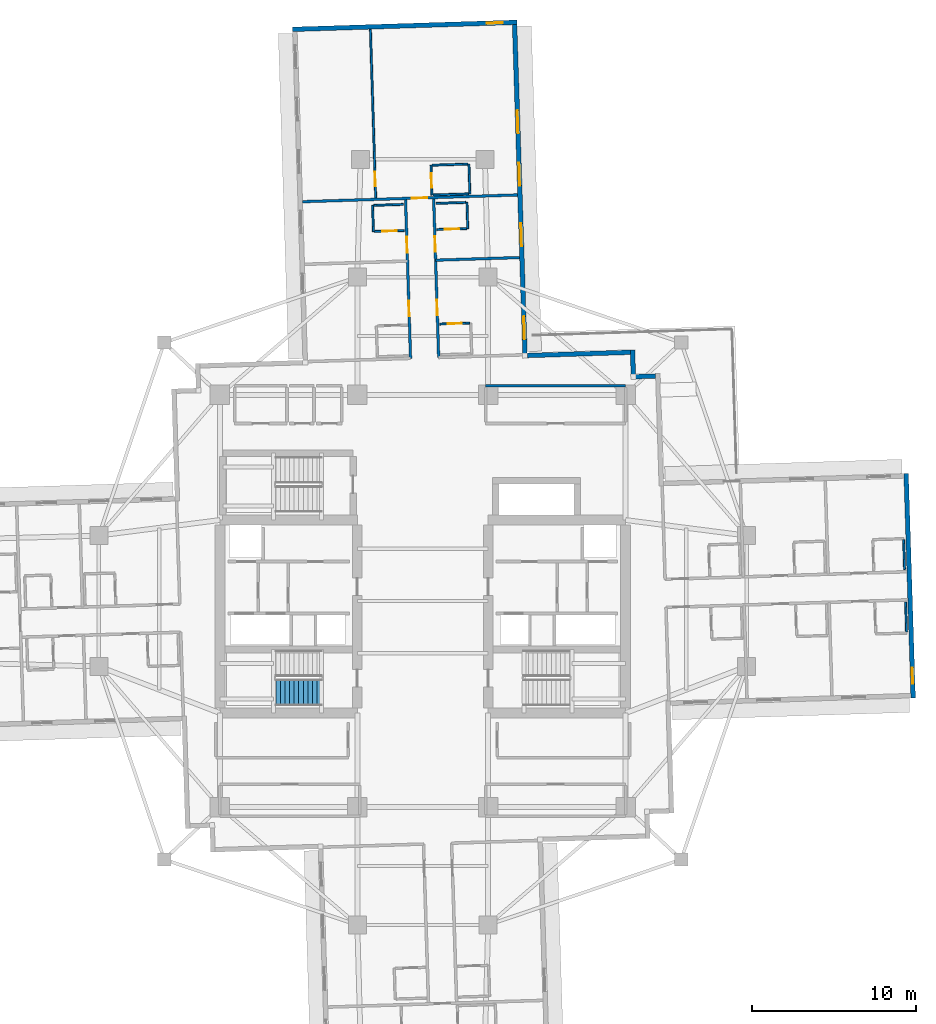
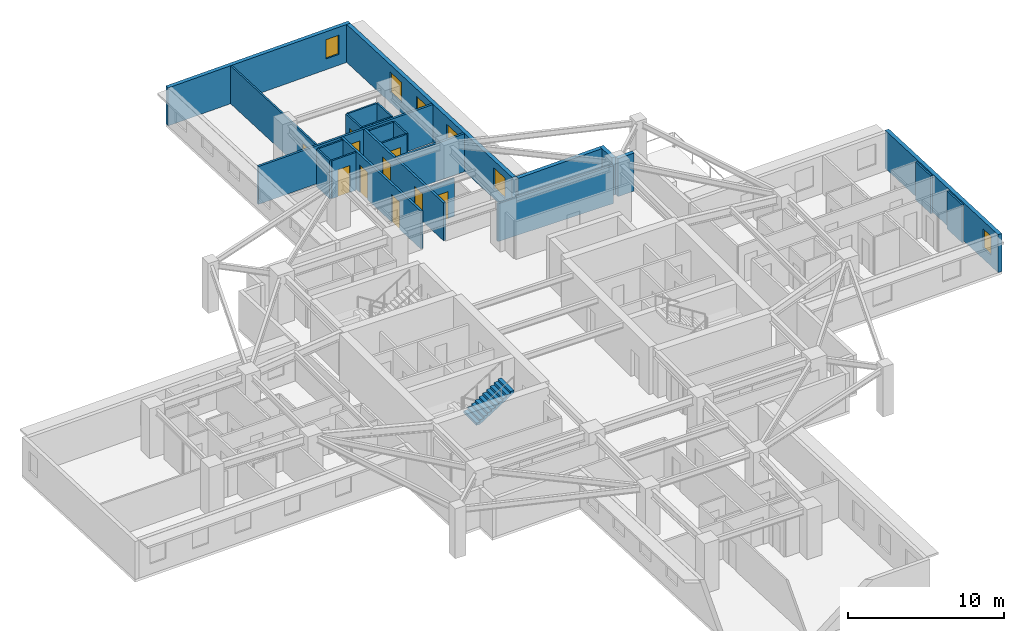
# One storey, part 8 of 14: 25 walls, 10 doors, 6 windows, 1 stair flight, 16 openings, 1 element without a shape of its own.
"""IFC4 building model written with IfcOpenShell, lengths in metres."""

from ifc_helpers import new_model, si_unit, direction, frame, frame_2d, origin, place, context, subcontext, project, spatial, polyline, rectangle, outline, extrude, material, layer, layer_set, type_object, element, fill, aggregate, save


model = new_model("IFC4")

# Units and contexts
model_context = context("Model", 3, precision=1e-05, world=origin(), true_north=direction((0.0, 1.0)))
body_context = subcontext(model_context, "Body", "Model", "MODEL_VIEW")
ifc_project = project(units=[si_unit("LENGTHUNIT", "METRE"), si_unit("AREAUNIT", "SQUARE_METRE"), si_unit("VOLUMEUNIT", "CUBIC_METRE"), si_unit("PLANEANGLEUNIT", "RADIAN"), si_unit("MASSUNIT", "GRAM", prefix="KILO")], contexts=[model_context])

# Site, building, storey
site_placement = place(None, origin())
site = spatial("IfcSite", under=ifc_project, at=site_placement, CompositionType="ELEMENT")
building_placement = place(site_placement, origin())
building = spatial("IfcBuilding", under=site, at=building_placement, Name="Qingluan Cross Belvedere", CompositionType="ELEMENT")
storey_placement = place(building_placement, frame((0.0, 0.0, 135.89990234375)))
storey = spatial("IfcBuildingStorey", under=building, at=storey_placement, Name="L34", CompositionType="ELEMENT", Elevation=135.89990234375)

# Wall
ifc_material_1 = material(Name="Gypsum plasterboard on steel stud acoustic partition", Category="steel")
ifc_layer_1 = layer(ifc_material_1, 0.159912109375, Name="CorridorPartition_160")
ifc_layer_set_1 = layer_set([ifc_layer_1], Name="Gypsum plasterboard on steel stud acoustic partition")
wall_type_1 = type_object("IfcWallType", Name="CorridorPartition_160", PredefinedType="PARTITIONING", material=ifc_layer_set_1)
wall_1_placement = place(storey_placement, frame((3.85009765625, 13.14990234375, 0.0), z_axis=(0.0, 0.0, 1.0), x_axis=(1.0, 0.0, 0.0)))
element("IfcWall", 1, at=wall_1_placement, inside=storey, type_object=wall_type_1, Name="Partition L34:q_ne:N", PredefinedType="PARTITIONING", context=body_context, shape_type="SweptSolid", body=[
    extrude(rectangle(XDim=8.5498046875, YDim=0.159912109375, at=frame_2d((4.27490234375, 0.0))), origin(), (0.0, 0.0, 1.0), 2.960205078125),
])

# Wall, openings, doors
wall_2_placement = place(storey_placement, frame((0.972900390625, 14.887939453125, 0.0), z_axis=(0.0, 0.0, 1.0), x_axis=(-0.031411552371, 0.999506535435, 0.0)))
wall_2 = element("IfcWall", 2, at=wall_2_placement, inside=storey, type_object=wall_type_1, Name="Partition L34:N:c0", PredefinedType="PARTITIONING", context=body_context, shape_type="SweptSolid", body=[
    extrude(rectangle(XDim=9.699951171875, YDim=0.159912109375, at=frame_2d((4.85009765625, 0.0))), origin(), (0.0, 0.0, 1.0), 2.960205078125),
])
opening_1_placement = place(wall_2_placement, frame((2.574951171875, 0.0, 0.0)))
opening_1 = element("IfcOpeningElement", 3, at=opening_1_placement, cuts=wall_2, Name="Opening GD-10", PredefinedType="OPENING", context=body_context, shape_type="SweptSolid", body=[
    extrude(rectangle(XDim=0.9599609375, YDim=2.14990234375, at=frame_2d((0.47998046875, 1.074951171875))), frame((0.0, 0.08984375, 0.0), z_axis=(0.0, -1.0, 0.0), x_axis=(1.0, 0.0, 0.0)), (0.0, 0.0, 1.0), 0.179931640625),
])
opening_2_placement = place(wall_2_placement, frame((6.467041015625, 0.0, 0.0)))
opening_2 = element("IfcOpeningElement", 4, at=opening_2_placement, cuts=wall_2, Name="Opening GD-10", PredefinedType="OPENING", context=body_context, shape_type="SweptSolid", body=[
    extrude(rectangle(XDim=0.9599609375, YDim=2.14990234375, at=frame_2d((0.47998046875, 1.074951171875))), frame((0.0, 0.08984375, 0.0), z_axis=(0.0, -1.0, 0.0), x_axis=(1.0, 0.0, 0.0)), (0.0, 0.0, 1.0), 0.179931640625),
])
ifc_material_2 = material(Name="Timber oak fire-rated acoustic guestroom door", Category="wood")
door_type_1 = type_object("IfcDoorType", Name="GuestEntryDoor_FD60", OperationType="NOTDEFINED", PredefinedType="DOOR", material=ifc_material_2)
door_1_placement = place(opening_1_placement, origin())
door_1 = element("IfcDoor", 5, at=door_1_placement, inside=storey, type_object=door_type_1, Name="Guest entry fire door 3411", OperationType="SINGLE_SWING_RIGHT", OverallHeight=2.14990234375, OverallWidth=0.9599609375, PredefinedType="DOOR", context=body_context, shape_type="SweptSolid", body=[
    extrude(rectangle(XDim=0.9599609375, YDim=2.14990234375, at=frame_2d((0.47998046875, 1.074951171875))), frame((0.0, 0.02490234375, 0.0), z_axis=(0.0, -1.0, 0.0), x_axis=(1.0, 0.0, 0.0)), (0.0, 0.0, 1.0), 0.050048828125),
])
fill(opening_1, door_1)
door_2_placement = place(opening_2_placement, origin())
door_2 = element("IfcDoor", 6, at=door_2_placement, inside=storey, type_object=door_type_1, Name="Guest entry fire door 3412", OperationType="SINGLE_SWING_RIGHT", OverallHeight=2.14990234375, OverallWidth=0.9599609375, PredefinedType="DOOR", context=body_context, shape_type="SweptSolid", body=[
    extrude(rectangle(XDim=0.9599609375, YDim=2.14990234375, at=frame_2d((0.47998046875, 1.074951171875))), frame((0.0, 0.02490234375, 0.0), z_axis=(0.0, -1.0, 0.0), x_axis=(1.0, 0.0, 0.0)), (0.0, 0.0, 1.0), 0.050048828125),
])
fill(opening_2, door_2)

# Wall
wall_3_placement = place(storey_placement, frame((0.785888671875, 20.8349609375, 0.0), z_axis=(0.0, 0.0, 1.0), x_axis=(0.999506957349, 0.031398124315, 0.0)))
element("IfcWall", 7, at=wall_3_placement, inside=storey, type_object=wall_type_1, Name="Partition L34:N:d0_0", PredefinedType="PARTITIONING", context=body_context, shape_type="SweptSolid", body=[
    extrude(rectangle(XDim=5.1318359375, YDim=0.159912109375, at=frame_2d((2.56591796875, 0.0))), origin(), (0.0, 0.0, 1.0), 2.960205078125),
])

# Wall, openings, doors
wall_4_placement = place(storey_placement, frame((-0.746337890625, 14.833984375, 0.0), z_axis=(0.0, 0.0, 1.0), x_axis=(-0.031411552371, 0.999506535435, 0.0)))
wall_4 = element("IfcWall", 8, at=wall_4_placement, inside=storey, type_object=wall_type_1, Name="Partition L34:N:c1", PredefinedType="PARTITIONING", context=body_context, shape_type="SweptSolid", body=[
    extrude(rectangle(XDim=9.699951171875, YDim=0.159912109375, at=frame_2d((4.85009765625, 0.0))), origin(), (0.0, 0.0, 1.0), 2.960205078125),
])
opening_3_placement = place(wall_4_placement, frame((2.574951171875, 0.0, 0.0)))
opening_3 = element("IfcOpeningElement", 9, at=opening_3_placement, cuts=wall_4, Name="Opening GD-10", PredefinedType="OPENING", context=body_context, shape_type="SweptSolid", body=[
    extrude(rectangle(XDim=0.9599609375, YDim=2.14990234375, at=frame_2d((0.47998046875, 1.074951171875))), frame((0.0, 0.08984375, 0.0), z_axis=(0.0, -1.0, 0.0), x_axis=(1.0, 0.0, 0.0)), (0.0, 0.0, 1.0), 0.179931640625),
])
opening_4_placement = place(wall_4_placement, frame((6.467041015625, 0.0, 0.0)))
opening_4 = element("IfcOpeningElement", 10, at=opening_4_placement, cuts=wall_4, Name="Opening GD-10", PredefinedType="OPENING", context=body_context, shape_type="SweptSolid", body=[
    extrude(rectangle(XDim=0.9599609375, YDim=2.14990234375, at=frame_2d((0.47998046875, 1.074951171875))), frame((0.0, 0.08984375, 0.0), z_axis=(0.0, -1.0, 0.0), x_axis=(1.0, 0.0, 0.0)), (0.0, 0.0, 1.0), 0.179931640625),
])
door_3_placement = place(opening_3_placement, origin())
door_3 = element("IfcDoor", 11, at=door_3_placement, inside=storey, type_object=door_type_1, Name="Guest entry fire door 3413", OperationType="SINGLE_SWING_RIGHT", OverallHeight=2.14990234375, OverallWidth=0.9599609375, PredefinedType="DOOR", context=body_context, shape_type="SweptSolid", body=[
    extrude(rectangle(XDim=0.9599609375, YDim=2.14990234375, at=frame_2d((0.47998046875, 1.074951171875))), frame((0.0, 0.02490234375, 0.0), z_axis=(0.0, -1.0, 0.0), x_axis=(1.0, 0.0, 0.0)), (0.0, 0.0, 1.0), 0.050048828125),
])
fill(opening_3, door_3)
door_4_placement = place(opening_4_placement, origin())
door_4 = element("IfcDoor", 12, at=door_4_placement, inside=storey, type_object=door_type_1, Name="Guest entry fire door 3414", OperationType="SINGLE_SWING_RIGHT", OverallHeight=2.14990234375, OverallWidth=0.9599609375, PredefinedType="DOOR", context=body_context, shape_type="SweptSolid", body=[
    extrude(rectangle(XDim=0.9599609375, YDim=2.14990234375, at=frame_2d((0.47998046875, 1.074951171875))), frame((0.0, 0.02490234375, 0.0), z_axis=(0.0, -1.0, 0.0), x_axis=(1.0, 0.0, 0.0)), (0.0, 0.0, 1.0), 0.050048828125),
])
fill(opening_4, door_4)

# Wall, opening, door
wall_5_placement = place(storey_placement, frame((-7.34228515625, 24.411376953125, 0.0), z_axis=(0.0, 0.0, 1.0), x_axis=(0.999506606318, 0.031409296822, 0.0)))
wall_5 = element("IfcWall", 13, at=wall_5_placement, inside=storey, type_object=wall_type_1, Name="Partition L34:Ncap:in", PredefinedType="PARTITIONING", context=body_context, shape_type="SweptSolid", body=[
    extrude(rectangle(XDim=13.14404296875, YDim=0.159912109375, at=frame_2d((6.572021484375, 0.0))), origin(), (0.0, 0.0, 1.0), 2.960205078125),
])
opening_5_placement = place(wall_5_placement, frame((6.672119140625, 0.0, 0.0)))
opening_5 = element("IfcOpeningElement", 14, at=opening_5_placement, cuts=wall_5, Name="Opening GD-10", PredefinedType="OPENING", context=body_context, shape_type="SweptSolid", body=[
    extrude(rectangle(XDim=0.9599609375, YDim=2.14990234375, at=frame_2d((0.47998046875, 1.074951171875))), frame((0.0, 0.08984375, 0.0), z_axis=(0.0, -1.0, 0.0), x_axis=(1.0, 0.0, 0.0)), (0.0, 0.0, 1.0), 0.179931640625),
])
door_5_placement = place(opening_5_placement, origin())
door_5 = element("IfcDoor", 15, at=door_5_placement, inside=storey, type_object=door_type_1, Name="Horizon corner suite door L34N", OperationType="SINGLE_SWING_LEFT", OverallHeight=2.14990234375, OverallWidth=0.9599609375, PredefinedType="DOOR", context=body_context, shape_type="SweptSolid", body=[
    extrude(rectangle(XDim=0.9599609375, YDim=2.14990234375, at=frame_2d((0.47998046875, 1.074951171875))), frame((0.0, 0.02490234375, 0.0), z_axis=(0.0, -1.0, 0.0), x_axis=(1.0, 0.0, 0.0)), (0.0, 0.0, 1.0), 0.050048828125),
])
fill(opening_5, door_5)

# Walls
ifc_material_3 = material(Name="Moisture-resistant gypsum board lining")
ifc_layer_2 = layer(ifc_material_3, 0.1201171875, Name="EnsuiteWetPartition_120")
ifc_layer_set_2 = layer_set([ifc_layer_2], Name="Moisture-resistant gypsum board lining")
wall_type_2 = type_object("IfcWallType", Name="EnsuiteWetPartition_120", PredefinedType="PARTITIONING", material=ifc_layer_set_2)
for number, where, z_axis, x_axis, name in (
    (16, (29.4541015625, 1.926025390625, 0.0), (0.0, 0.0, 1.0), (-0.031389704724, 0.999507221803, 0.0), "Partition L34:E:bw0_2"),
    (17, (29.573974609375, -1.89208984375, 0.0), (0.0, 0.0, 1.0), (-0.031389704724, 0.999507221803, 0.0), "Partition L34:E:bw1_2"),
):
    element("IfcWall", number, at=place(storey_placement, frame(where, z_axis=z_axis, x_axis=x_axis)), inside=storey, type_object=wall_type_2, Name=name, PredefinedType="PARTITIONING", context=body_context, shape_type="SweptSolid", body=[
        extrude(rectangle(XDim=1.820068359375, YDim=0.1201171875, at=frame_2d((0.91015625, 0.0))), origin(), (0.0, 0.0, 1.0), 2.960205078125),
    ])

# Wall, opening, door
wall_6_placement = place(storey_placement, frame((1.048583984375, 16.931396484375, 0.0), z_axis=(0.0, 0.0, 1.0), x_axis=(0.999507353951, 0.031385496622, 0.0)))
wall_6 = element("IfcWall", 18, at=wall_6_placement, inside=storey, type_object=wall_type_2, Name="Partition L34:N:bs0_0", PredefinedType="PARTITIONING", context=body_context, shape_type="SweptSolid", body=[
    extrude(rectangle(XDim=1.8203125, YDim=0.1201171875, at=frame_2d((0.91015625, 0.0))), origin(), (0.0, 0.0, 1.0), 2.960205078125),
])
opening_6_placement = place(wall_6_placement, frame((0.469970703125, 0.0, 0.0)))
opening_6 = element("IfcOpeningElement", 19, at=opening_6_placement, cuts=wall_6, Name="Opening BD-09", PredefinedType="OPENING", context=body_context, shape_type="SweptSolid", body=[
    extrude(rectangle(XDim=0.8798828125, YDim=2.10009765625, at=frame_2d((0.43994140625, 1.050048828125))), frame((0.0, 0.070068359375, 0.0), z_axis=(0.0, -1.0, 0.0), x_axis=(1.0, 0.0, 0.0)), (0.0, 0.0, 1.0), 0.14013671875),
])
ifc_material_4 = material(Name="Moisture-sealed timber en-suite door", Category="wood")
door_type_2 = type_object("IfcDoorType", Name="BathroomDoor_880", OperationType="NOTDEFINED", PredefinedType="DOOR", material=ifc_material_4)
door_6_placement = place(opening_6_placement, origin())
door_6 = element("IfcDoor", 20, at=door_6_placement, inside=storey, type_object=door_type_2, Name="Bathroom door 3411", OperationType="SINGLE_SWING_LEFT", OverallHeight=2.10009765625, OverallWidth=0.8798828125, PredefinedType="DOOR", context=body_context, shape_type="SweptSolid", body=[
    extrude(rectangle(XDim=0.8798828125, YDim=2.10009765625, at=frame_2d((0.43994140625, 1.050048828125))), frame((0.0, 0.02490234375, 0.0), z_axis=(0.0, -1.0, 0.0), x_axis=(1.0, 0.0, 0.0)), (0.0, 0.0, 1.0), 0.050048828125),
])
fill(opening_6, door_6)

wall_7_placement = place(storey_placement, frame((0.8671875, 22.70849609375, 0.0), z_axis=(0.0, 0.0, 1.0), x_axis=(0.999507221803, 0.031389704724, 0.0)))
wall_7 = element("IfcWall", 21, at=wall_7_placement, inside=storey, type_object=wall_type_2, Name="Partition L34:N:bs0_1", PredefinedType="PARTITIONING", context=body_context, shape_type="SweptSolid", body=[
    extrude(rectangle(XDim=1.820068359375, YDim=0.1201171875, at=frame_2d((0.91015625, 0.0))), origin(), (0.0, 0.0, 1.0), 2.960205078125),
])
opening_7_placement = place(wall_7_placement, frame((0.469970703125, 0.0, 0.0)))
opening_7 = element("IfcOpeningElement", 22, at=opening_7_placement, cuts=wall_7, Name="Opening BD-09", PredefinedType="OPENING", context=body_context, shape_type="SweptSolid", body=[
    extrude(rectangle(XDim=0.8798828125, YDim=2.10009765625, at=frame_2d((0.43994140625, 1.050048828125))), frame((0.0, 0.070068359375, 0.0), z_axis=(0.0, -1.0, 0.0), x_axis=(1.0, 0.0, 0.0)), (0.0, 0.0, 1.0), 0.14013671875),
])
door_7_placement = place(opening_7_placement, origin())
door_7 = element("IfcDoor", 23, at=door_7_placement, inside=storey, type_object=door_type_2, Name="Bathroom door 3412", OperationType="SINGLE_SWING_LEFT", OverallHeight=2.10009765625, OverallWidth=0.8798828125, PredefinedType="DOOR", context=body_context, shape_type="SweptSolid", body=[
    extrude(rectangle(XDim=0.8798828125, YDim=2.10009765625, at=frame_2d((0.43994140625, 1.050048828125))), frame((0.0, 0.02490234375, 0.0), z_axis=(0.0, -1.0, 0.0), x_axis=(1.0, 0.0, 0.0)), (0.0, 0.0, 1.0), 0.050048828125),
])
fill(opening_7, door_7)

# Walls
wall_8_placement = place(storey_placement, frame((0.81689453125, 24.3076171875, 0.0), z_axis=(0.0, 0.0, 1.0), x_axis=(0.999507221803, 0.031389704724, 0.0)))
element("IfcWall", 24, at=wall_8_placement, inside=storey, type_object=wall_type_2, Name="Partition L34:N:bw0_1", PredefinedType="PARTITIONING", context=body_context, shape_type="SweptSolid", body=[
    extrude(rectangle(XDim=1.820068359375, YDim=0.1201171875, at=frame_2d((0.91015625, 0.0))), origin(), (0.0, 0.0, 1.0), 2.960205078125),
])
wall_9_placement = place(storey_placement, frame((2.751220703125, 22.767578125, 0.0), z_axis=(0.0, 0.0, 1.0), x_axis=(-0.031430045267, 0.999505954087, 0.0)))
element("IfcWall", 25, at=wall_9_placement, inside=storey, type_object=wall_type_2, Name="Partition L34:N:bn0_1", PredefinedType="PARTITIONING", context=body_context, shape_type="SweptSolid", body=[
    extrude(rectangle(XDim=1.60009765625, YDim=0.1201171875, at=frame_2d((0.800048828125, 0.0))), origin(), (0.0, 0.0, 1.0), 2.960205078125),
])

# Wall, opening, door
wall_10_placement = place(storey_placement, frame((-2.950927734375, 22.58837890625, 0.0), z_axis=(0.0, 0.0, 1.0), x_axis=(0.999507221803, 0.031389704724, 0.0)))
wall_10 = element("IfcWall", 26, at=wall_10_placement, inside=storey, type_object=wall_type_2, Name="Partition L34:N:bs1_1", PredefinedType="PARTITIONING", context=body_context, shape_type="SweptSolid", body=[
    extrude(rectangle(XDim=1.820068359375, YDim=0.1201171875, at=frame_2d((0.91015625, 0.0))), origin(), (0.0, 0.0, 1.0), 2.960205078125),
])
opening_8_placement = place(wall_10_placement, frame((0.469970703125, 0.0, 0.0)))
opening_8 = element("IfcOpeningElement", 27, at=opening_8_placement, cuts=wall_10, Name="Opening BD-09", PredefinedType="OPENING", context=body_context, shape_type="SweptSolid", body=[
    extrude(rectangle(XDim=0.8798828125, YDim=2.10009765625, at=frame_2d((0.43994140625, 1.050048828125))), frame((0.0, 0.070068359375, 0.0), z_axis=(0.0, -1.0, 0.0), x_axis=(1.0, 0.0, 0.0)), (0.0, 0.0, 1.0), 0.14013671875),
])
door_8_placement = place(opening_8_placement, origin())
door_8 = element("IfcDoor", 28, at=door_8_placement, inside=storey, type_object=door_type_2, Name="Bathroom door 3414", OperationType="SINGLE_SWING_LEFT", OverallHeight=2.10009765625, OverallWidth=0.8798828125, PredefinedType="DOOR", context=body_context, shape_type="SweptSolid", body=[
    extrude(rectangle(XDim=0.8798828125, YDim=2.10009765625, at=frame_2d((0.43994140625, 1.050048828125))), frame((0.0, 0.02490234375, 0.0), z_axis=(0.0, -1.0, 0.0), x_axis=(1.0, 0.0, 0.0)), (0.0, 0.0, 1.0), 0.050048828125),
])
fill(opening_8, door_8)

# Walls
wall_11_placement = place(storey_placement, frame((-3.001220703125, 24.187744140625, 0.0), z_axis=(0.0, 0.0, 1.0), x_axis=(0.999507221803, 0.031389704724, 0.0)))
element("IfcWall", 29, at=wall_11_placement, inside=storey, type_object=wall_type_2, Name="Partition L34:N:bw1_1", PredefinedType="PARTITIONING", context=body_context, shape_type="SweptSolid", body=[
    extrude(rectangle(XDim=1.820068359375, YDim=0.1201171875, at=frame_2d((0.91015625, 0.0))), origin(), (0.0, 0.0, 1.0), 2.960205078125),
])
wall_12_placement = place(storey_placement, frame((-3.015869140625, 22.58642578125, 0.0), z_axis=(0.0, 0.0, 1.0), x_axis=(-0.031434839006, 0.999505803333, 0.0)))
element("IfcWall", 30, at=wall_12_placement, inside=storey, type_object=wall_type_2, Name="Partition L34:N:bc1_1", PredefinedType="PARTITIONING", context=body_context, shape_type="SweptSolid", body=[
    extrude(rectangle(XDim=1.599853515625, YDim=0.1201171875, at=frame_2d((0.7998046875, 0.0))), origin(), (0.0, 0.0, 1.0), 2.960205078125),
])

# Wall, opening, door
wall_13_placement = place(storey_placement, frame((-2.87548828125, 24.641845703125, 0.0), z_axis=(0.0, 0.0, 1.0), x_axis=(-0.031417318427, 0.999506354208, 0.0)))
wall_13 = element("IfcWall", 31, at=wall_13_placement, inside=storey, type_object=wall_type_2, Name="Partition L34:Ncap:m2", PredefinedType="PARTITIONING", context=body_context, shape_type="SweptSolid", body=[
    extrude(rectangle(XDim=10.31201171875, YDim=0.1201171875, at=frame_2d((5.156005859375, 0.0))), origin(), (0.0, 0.0, 1.0), 2.960205078125),
])
opening_9_placement = place(wall_13_placement, frame((0.699951171875, 0.0, 0.0)))
opening_9 = element("IfcOpeningElement", 32, at=opening_9_placement, cuts=wall_13, Name="Opening BD-89", PredefinedType="OPENING", context=body_context, shape_type="SweptSolid", body=[
    extrude(rectangle(XDim=0.89990234375, YDim=2.10009765625, at=frame_2d((0.449951171875, 1.050048828125))), frame((0.0, 0.070068359375, 0.0), z_axis=(0.0, -1.0, 0.0), x_axis=(1.0, 0.0, 0.0)), (0.0, 0.0, 1.0), 0.14013671875),
])
ifc_material_5 = material(Name="Timber acoustic study door", Category="wood")
door_type_3 = type_object("IfcDoorType", Name="SuiteStudyDoor_900", OperationType="NOTDEFINED", PredefinedType="DOOR", material=ifc_material_5)
door_9_placement = place(opening_9_placement, origin())
door_9 = element("IfcDoor", 33, at=door_9_placement, inside=storey, type_object=door_type_3, Name="Suite private study door L34N", OperationType="SINGLE_SWING_LEFT", OverallHeight=2.10009765625, OverallWidth=0.89990234375, PredefinedType="DOOR", context=body_context, shape_type="SweptSolid", body=[
    extrude(rectangle(XDim=0.89990234375, YDim=2.10009765625, at=frame_2d((0.449951171875, 1.050048828125))), frame((0.0, 0.02490234375, 0.0), z_axis=(0.0, -1.0, 0.0), x_axis=(1.0, 0.0, 0.0)), (0.0, 0.0, 1.0), 0.050048828125),
])
fill(opening_9, door_9)

wall_14_placement = place(storey_placement, frame((0.560791015625, 24.81982421875, 0.0), z_axis=(0.0, 0.0, 1.0), x_axis=(-0.03152371574, 0.999503004171, 0.0)))
wall_14 = element("IfcWall", 34, at=wall_14_placement, inside=storey, type_object=wall_type_2, Name="Partition L34:Ncap:b2s", PredefinedType="PARTITIONING", context=body_context, shape_type="SweptSolid", body=[
    extrude(rectangle(XDim=1.820068359375, YDim=0.1201171875, at=frame_2d((0.91015625, 0.0))), origin(), (0.0, 0.0, 1.0), 2.960205078125),
])
opening_10_placement = place(wall_14_placement, frame((0.449951171875, 0.0, 0.0)))
opening_10 = element("IfcOpeningElement", 35, at=opening_10_placement, cuts=wall_14, Name="Opening BD-09", PredefinedType="OPENING", context=body_context, shape_type="SweptSolid", body=[
    extrude(rectangle(XDim=0.8798828125, YDim=2.10009765625, at=frame_2d((0.43994140625, 1.050048828125))), frame((0.0, 0.070068359375, 0.0), z_axis=(0.0, -1.0, 0.0), x_axis=(1.0, 0.0, 0.0)), (0.0, 0.0, 1.0), 0.14013671875),
])
door_10_placement = place(opening_10_placement, origin())
door_10 = element("IfcDoor", 36, at=door_10_placement, inside=storey, type_object=door_type_2, Name="En-suite bathroom door L34N", OperationType="SINGLE_SWING_RIGHT", OverallHeight=2.10009765625, OverallWidth=0.8798828125, PredefinedType="DOOR", context=body_context, shape_type="SweptSolid", body=[
    extrude(rectangle(XDim=0.8798828125, YDim=2.10009765625, at=frame_2d((0.43994140625, 1.050048828125))), frame((0.0, 0.02490234375, 0.0), z_axis=(0.0, -1.0, 0.0), x_axis=(1.0, 0.0, 0.0)), (0.0, 0.0, 1.0), 0.050048828125),
])
fill(opening_10, door_10)

# Walls
wall_15_placement = place(storey_placement, frame((2.87939453125, 24.892578125, 0.0), z_axis=(0.0, 0.0, 1.0), x_axis=(-0.031251501844, 0.999511552526, 0.0)))
element("IfcWall", 37, at=wall_15_placement, inside=storey, type_object=wall_type_2, Name="Partition L34:Ncap:b2b", PredefinedType="PARTITIONING", context=body_context, shape_type="SweptSolid", body=[
    extrude(rectangle(XDim=1.8203125, YDim=0.1201171875, at=frame_2d((0.91015625, 0.0))), origin(), (0.0, 0.0, 1.0), 2.960205078125),
])
for number, where, z_axis, x_axis, name in (
    (38, (0.630615234375, 24.822021484375, 0.0), (0.0, 0.0, 1.0), (0.999508244557, 0.031357121398, 0.0), "Partition L34:Ncap:b2a"),
    (39, (0.573486328125, 26.64111328125, 0.0), (0.0, 0.0, 1.0), (0.99950472836, 0.031469000411, 0.0), "Partition L34:Ncap:b2n"),
):
    element("IfcWall", number, at=place(storey_placement, frame(where, z_axis=z_axis, x_axis=x_axis)), inside=storey, type_object=wall_type_2, Name=name, PredefinedType="PARTITIONING", context=body_context, shape_type="SweptSolid", body=[
        extrude(rectangle(XDim=2.179931640625, YDim=0.1201171875, at=frame_2d((1.08984375, 0.0))), origin(), (0.0, 0.0, 1.0), 2.960205078125),
    ])

# Wall, opening, window
ifc_material_6 = material(Name="Precast concrete C45", Category="concrete")
ifc_layer_3 = layer(ifc_material_6, 0.280029296875, Name="PrecastFacadeWall_280")
ifc_layer_set_3 = layer_set([ifc_layer_3], Name="Precast concrete C45")
wall_type_3 = type_object("IfcWallType", Name="PrecastFacadeWall_280", PredefinedType="STANDARD", material=ifc_layer_set_3)
wall_16_placement = place(storey_placement, frame((29.980712890625, -5.921142578125, 0.0), z_axis=(0.0, 0.0, 1.0), x_axis=(-0.031407524763, 0.999506662003, 0.0)))
wall_16 = element("IfcWall", 40, at=wall_16_placement, inside=storey, type_object=wall_type_3, Name="Arm tip precast facade wall L34-E", PredefinedType="STANDARD", context=body_context, shape_type="SweptSolid", body=[
    extrude(rectangle(XDim=13.719970703125, YDim=0.280029296875, at=frame_2d((6.85986328125, 0.0))), origin(), (0.0, 0.0, 1.0), 2.97021484375),
])
opening_11_placement = place(wall_16_placement, frame((0.85009765625, 0.0, 0.85009765625)))
opening_11 = element("IfcOpeningElement", 41, at=opening_11_placement, cuts=wall_16, Name="Opening W-03", PredefinedType="OPENING", context=body_context, shape_type="SweptSolid", body=[
    extrude(rectangle(XDim=1.0, YDim=1.5, at=frame_2d((0.5, 0.75))), frame((0.0, 0.14990234375, 0.0), z_axis=(0.0, -1.0, 0.0), x_axis=(1.0, 0.0, 0.0)), (0.0, 0.0, 1.0), 0.300048828125),
])
ifc_material_7 = material(Name="Thermally broken triple Low-E glass in aluminium frame", Category="aluminium")
window_type_1 = type_object("IfcWindowType", Name="TriApexWin_1000x1500", PartitioningType="SINGLE_PANEL", PredefinedType="WINDOW", material=ifc_material_7)
window_1_placement = place(opening_11_placement, origin())
window_1 = element("IfcWindow", 42, at=window_1_placement, inside=storey, type_object=window_type_1, Name="Arm tip triangular window L34-E", OverallHeight=1.5, OverallWidth=1.0, PartitioningType="SINGLE_PANEL", PredefinedType="WINDOW", context=body_context, shape_type="SweptSolid", body=[
    extrude(rectangle(XDim=1.0, YDim=1.5, at=frame_2d((0.5, 0.75))), frame((0.0, 0.030029296875, 0.0), z_axis=(0.0, -1.0, 0.0), x_axis=(1.0, 0.0, 0.0)), (0.0, 0.0, 1.0), 0.06005859375),
])
fill(opening_11, window_1)

# Wall, openings, windows
wall_17_placement = place(storey_placement, frame((6.247314453125, 15.143798828125, 0.0), z_axis=(0.0, 0.0, 1.0), x_axis=(-0.031398187845, 0.999506955354, 0.0)))
wall_17 = element("IfcWall", 43, at=wall_17_placement, inside=storey, type_object=wall_type_3, Name="Facade wall L34-NA", PredefinedType="STANDARD", context=body_context, shape_type="SweptSolid", body=[
    extrude(rectangle(XDim=20.10009765625, YDim=0.280029296875, at=frame_2d((10.050048828125, 0.0))), origin(), (0.0, 0.0, 1.0), 2.97021484375),
])
opening_12_placement = place(wall_17_placement, frame((0.85009765625, 0.0, 0.800048828125)))
opening_12 = element("IfcOpeningElement", 44, at=opening_12_placement, cuts=wall_17, Name="Opening W-01", PredefinedType="OPENING", context=body_context, shape_type="SweptSolid", body=[
    extrude(rectangle(XDim=1.39990234375, YDim=1.60009765625, at=frame_2d((0.699951171875, 0.800048828125))), frame((0.0, 0.14990234375, 0.0), z_axis=(0.0, -1.0, 0.0), x_axis=(1.0, 0.0, 0.0)), (0.0, 0.0, 1.0), 0.300048828125),
])
opening_13_placement = place(wall_17_placement, frame((6.550048828125, 0.0, 0.800048828125)))
opening_13 = element("IfcOpeningElement", 45, at=opening_13_placement, cuts=wall_17, Name="Opening W-01", PredefinedType="OPENING", context=body_context, shape_type="SweptSolid", body=[
    extrude(rectangle(XDim=1.39990234375, YDim=1.60009765625, at=frame_2d((0.699951171875, 0.800048828125))), frame((0.0, 0.14990234375, 0.0), z_axis=(0.0, -1.0, 0.0), x_axis=(1.0, 0.0, 0.0)), (0.0, 0.0, 1.0), 0.300048828125),
])
opening_14_placement = place(wall_17_placement, frame((10.25, 0.0, 0.800048828125)))
opening_14 = element("IfcOpeningElement", 46, at=opening_14_placement, cuts=wall_17, Name="Opening W-01", PredefinedType="OPENING", context=body_context, shape_type="SweptSolid", body=[
    extrude(rectangle(XDim=1.39990234375, YDim=1.60009765625, at=frame_2d((0.699951171875, 0.800048828125))), frame((0.0, 0.14990234375, 0.0), z_axis=(0.0, -1.0, 0.0), x_axis=(1.0, 0.0, 0.0)), (0.0, 0.0, 1.0), 0.300048828125),
])
opening_15_placement = place(wall_17_placement, frame((13.449951171875, 0.0, 0.800048828125)))
opening_15 = element("IfcOpeningElement", 47, at=opening_15_placement, cuts=wall_17, Name="Opening W-01", PredefinedType="OPENING", context=body_context, shape_type="SweptSolid", body=[
    extrude(rectangle(XDim=1.39990234375, YDim=1.60009765625, at=frame_2d((0.699951171875, 0.800048828125))), frame((0.0, 0.14990234375, 0.0), z_axis=(0.0, -1.0, 0.0), x_axis=(1.0, 0.0, 0.0)), (0.0, 0.0, 1.0), 0.300048828125),
])
ifc_material_8 = material(Name="Thermally broken triple Low-E glass in aluminium frame", Category="aluminium")
window_type_2 = type_object("IfcWindowType", Name="TriRibbonWin_1400x1600", PartitioningType="SINGLE_PANEL", PredefinedType="WINDOW", material=ifc_material_8)
window_2_placement = place(opening_12_placement, origin())
window_2 = element("IfcWindow", 48, at=window_2_placement, inside=storey, type_object=window_type_2, Name="Ribbon window L34-NA-1", OverallHeight=1.60009765625, OverallWidth=1.39990234375, PartitioningType="SINGLE_PANEL", PredefinedType="WINDOW", context=body_context, shape_type="SweptSolid", body=[
    extrude(rectangle(XDim=1.39990234375, YDim=1.60009765625, at=frame_2d((0.699951171875, 0.800048828125))), frame((0.0, 0.030029296875, 0.0), z_axis=(0.0, -1.0, 0.0), x_axis=(1.0, 0.0, 0.0)), (0.0, 0.0, 1.0), 0.06005859375),
])
fill(opening_12, window_2)
window_3_placement = place(opening_13_placement, origin())
window_3 = element("IfcWindow", 49, at=window_3_placement, inside=storey, type_object=window_type_2, Name="Ribbon window L34-NA-2", OverallHeight=1.60009765625, OverallWidth=1.39990234375, PartitioningType="SINGLE_PANEL", PredefinedType="WINDOW", context=body_context, shape_type="SweptSolid", body=[
    extrude(rectangle(XDim=1.39990234375, YDim=1.60009765625, at=frame_2d((0.699951171875, 0.800048828125))), frame((0.0, 0.030029296875, 0.0), z_axis=(0.0, -1.0, 0.0), x_axis=(1.0, 0.0, 0.0)), (0.0, 0.0, 1.0), 0.06005859375),
])
fill(opening_13, window_3)
window_4_placement = place(opening_14_placement, origin())
window_4 = element("IfcWindow", 50, at=window_4_placement, inside=storey, type_object=window_type_2, Name="Ribbon window L34-NA-3", OverallHeight=1.60009765625, OverallWidth=1.39990234375, PartitioningType="SINGLE_PANEL", PredefinedType="WINDOW", context=body_context, shape_type="SweptSolid", body=[
    extrude(rectangle(XDim=1.39990234375, YDim=1.60009765625, at=frame_2d((0.699951171875, 0.800048828125))), frame((0.0, 0.030029296875, 0.0), z_axis=(0.0, -1.0, 0.0), x_axis=(1.0, 0.0, 0.0)), (0.0, 0.0, 1.0), 0.06005859375),
])
fill(opening_14, window_4)
window_5_placement = place(opening_15_placement, origin())
window_5 = element("IfcWindow", 51, at=window_5_placement, inside=storey, type_object=window_type_2, Name="Ribbon window L34-NA-4", OverallHeight=1.60009765625, OverallWidth=1.39990234375, PartitioningType="SINGLE_PANEL", PredefinedType="WINDOW", context=body_context, shape_type="SweptSolid", body=[
    extrude(rectangle(XDim=1.39990234375, YDim=1.60009765625, at=frame_2d((0.699951171875, 0.800048828125))), frame((0.0, 0.030029296875, 0.0), z_axis=(0.0, -1.0, 0.0), x_axis=(1.0, 0.0, 0.0)), (0.0, 0.0, 1.0), 0.06005859375),
])
fill(opening_15, window_5)

# Wall, opening, window
wall_18_placement = place(storey_placement, frame((5.751708984375, 35.378173828125, 0.0), z_axis=(0.0, 0.0, 1.0), x_axis=(-0.999506679556, -0.031406966164, 0.0)))
wall_18 = element("IfcWall", 52, at=wall_18_placement, inside=storey, type_object=wall_type_3, Name="Arm tip precast facade wall L34-N", PredefinedType="STANDARD", context=body_context, shape_type="SweptSolid", body=[
    extrude(rectangle(XDim=13.72021484375, YDim=0.280029296875, at=frame_2d((6.860107421875, 0.0))), origin(), (0.0, 0.0, 1.0), 2.97021484375),
])
opening_16_placement = place(wall_18_placement, frame((0.85009765625, 0.0, 0.85009765625)))
opening_16 = element("IfcOpeningElement", 53, at=opening_16_placement, cuts=wall_18, Name="Opening W-03", PredefinedType="OPENING", context=body_context, shape_type="SweptSolid", body=[
    extrude(rectangle(XDim=1.0, YDim=1.5, at=frame_2d((0.5, 0.75))), frame((0.0, 0.14990234375, 0.0), z_axis=(0.0, -1.0, 0.0), x_axis=(1.0, 0.0, 0.0)), (0.0, 0.0, 1.0), 0.300048828125),
])
window_6_placement = place(opening_16_placement, origin())
window_6 = element("IfcWindow", 54, at=window_6_placement, inside=storey, type_object=window_type_1, Name="Arm tip triangular window L34-N", OverallHeight=1.5, OverallWidth=1.0, PartitioningType="SINGLE_PANEL", PredefinedType="WINDOW", context=body_context, shape_type="SweptSolid", body=[
    extrude(rectangle(XDim=1.0, YDim=1.5, at=frame_2d((0.5, 0.75))), frame((0.0, 0.030029296875, 0.0), z_axis=(0.0, -1.0, 0.0), x_axis=(1.0, 0.0, 0.0)), (0.0, 0.0, 1.0), 0.06005859375),
])
fill(opening_16, window_6)

# Walls
wall_19_placement = place(storey_placement, frame((14.235107421875, 13.75390625, 0.0), z_axis=(0.0, 0.0, 1.0), x_axis=(-0.999506398264, -0.031415916822, 0.0)))
element("IfcWall", 55, at=wall_19_placement, inside=storey, type_object=wall_type_3, Name="Corner wall L34-NE2", PredefinedType="STANDARD", context=body_context, shape_type="SweptSolid", body=[
    extrude(rectangle(XDim=1.219970703125, YDim=0.280029296875, at=frame_2d((0.60986328125, 0.0))), origin(), (0.0, 0.0, 1.0), 2.97021484375),
])
wall_20_placement = place(storey_placement, frame((12.871337890625, 13.85107421875, 0.0), z_axis=(0.0, 0.0, 1.0), x_axis=(-0.031412596484, 0.999506502621, 0.0)))
element("IfcWall", 56, at=wall_20_placement, inside=storey, type_object=wall_type_3, Name="Corner wall L34-NE3", PredefinedType="STANDARD", context=body_context, shape_type="SweptSolid", body=[
    extrude(rectangle(XDim=1.5, YDim=0.280029296875, at=frame_2d((0.75, 0.0))), origin(), (0.0, 0.0, 1.0), 2.97021484375),
])
wall_21_placement = place(storey_placement, frame((12.688720703125, 15.2060546875, 0.0), z_axis=(0.0, 0.0, 1.0), x_axis=(-0.999507262922, -0.031388395416, 0.0)))
element("IfcWall", 57, at=wall_21_placement, inside=storey, type_object=wall_type_3, Name="Corner wall L34-NE4", PredefinedType="STANDARD", context=body_context, shape_type="SweptSolid", body=[
    extrude(rectangle(XDim=6.30029296875, YDim=0.280029296875, at=frame_2d((3.150146484375, 0.0))), origin(), (0.0, 0.0, 1.0), 2.97021484375),
])

# Stair, stair flight
ifc_material_9 = material(Name="Concrete C40", Category="concrete")
stair_type = type_object("IfcStairType", Name="CoreDoglegStair_1620", PredefinedType="HALF_TURN_STAIR", material=ifc_material_9)
stair_placement = place(storey_placement, origin())
stair = element("IfcStair", 58, at=stair_placement, inside=storey, type_object=stair_type, Name="L34 ST1", PredefinedType="HALF_TURN_STAIR")
ifc_material_10 = material(Name="Concrete C40", Category="concrete")
ifc_layer_4 = layer(ifc_material_10, 0.179931640625, Name="StairFlight_RC180")
ifc_layer_set_4 = layer_set([ifc_layer_4], Name="Concrete C40")
stair_flight_type = type_object("IfcStairFlightType", Name="StairFlight_RC180", PredefinedType="STRAIGHT", material=ifc_layer_set_4)
stair_flight_placement = place(storey_placement, frame((-8.97998046875, -5.590087890625, 1.9501953125), z_axis=(0.0, 0.0, 1.0), x_axis=(1.0, 0.0, 0.0)))
stair_flight = element("IfcStairFlight", 59, at=stair_flight_placement, type_object=stair_flight_type, Name="ST1 flight 2", NumberOfRisers=11, NumberOfTreads=10, PredefinedType="STRAIGHT", RiserHeight=0.177272727, TreadLength=0.28, context=body_context, shape_type="SweptSolid", body=[
    extrude(outline(polyline([(0.0, 0.0), (0.0, 0.17724609375), (0.280029296875, 0.17724609375), (0.280029296875, 0.3544921875), (0.56005859375, 0.3544921875), (0.56005859375, 0.53173828125), (0.840087890625, 0.53173828125), (0.840087890625, 0.708984375), (1.1201171875, 0.708984375), (1.1201171875, 0.886474609375), (1.39990234375, 0.886474609375), (1.39990234375, 1.063720703125), (1.679931640625, 1.063720703125), (1.679931640625, 1.240966796875), (1.9599609375, 1.240966796875), (1.9599609375, 1.418212890625), (2.239990234375, 1.418212890625), (2.239990234375, 1.595458984375), (2.52001953125, 1.595458984375), (2.52001953125, 1.772705078125), (2.800048828125, 1.772705078125), (2.800048828125, 1.949951171875), (2.800048828125, 1.59521484375), (0.2802734375, 0.0), (0.0, 0.0)])), frame((0.0, 0.81005859375, 0.0), z_axis=(0.0, -1.0, 0.0), x_axis=(1.0, 0.0, 0.0)), (0.0, 0.0, 1.0), 1.6201171875),
])
aggregate(stair, [stair_flight])

save(model, "model.ifc")
